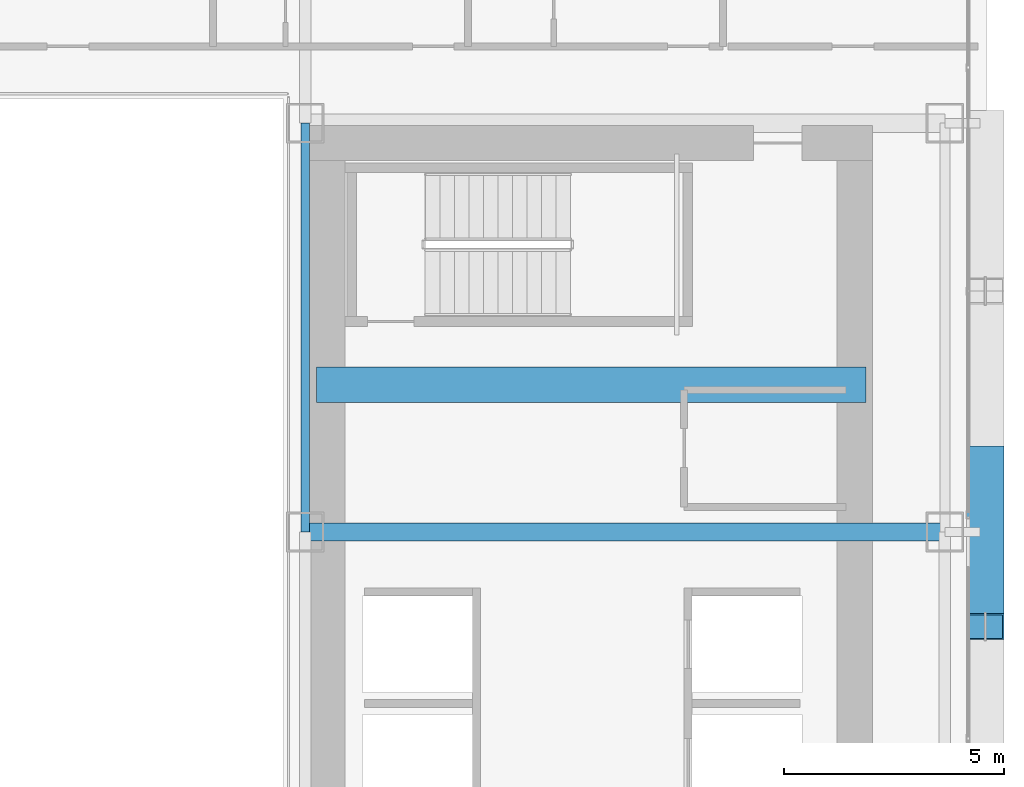
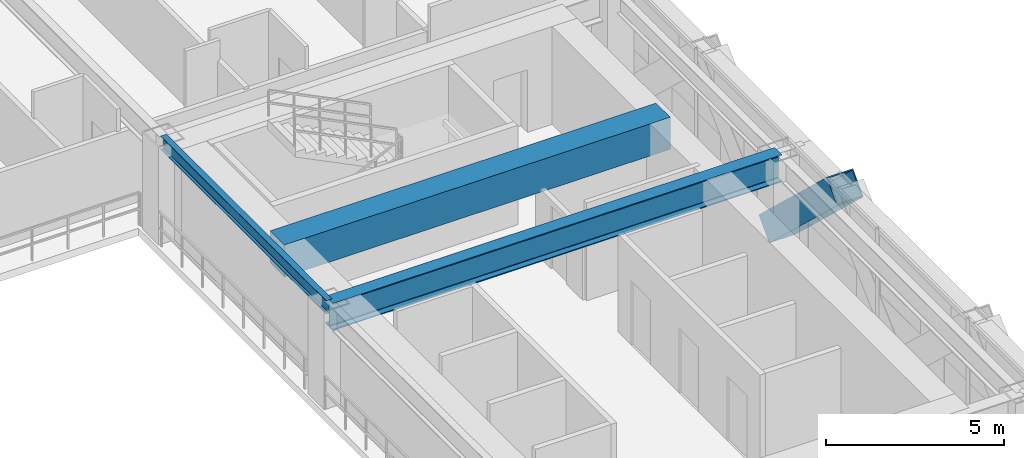
# One storey, part 14 of 35: 3 beams, 1 member.
"""IFC4 building model written with IfcOpenShell, lengths in metres."""

from ifc_helpers import new_model, si_unit, direction, frame, origin, origin_2d, place, context, subcontext, project, spatial, rectangle, hollow_rectangle, i_section, extrude, source, transform, mapped, material, material_profile, profile_set, type_object, element, save


model = new_model("IFC4")

# Units and contexts
model_context = context("Model", 3, precision=1e-05, world=origin(), true_north=direction((0.0, 1.0)))
body_context = subcontext(model_context, "Body", "Model", "MODEL_VIEW")
ifc_project = project(units=[si_unit("LENGTHUNIT", "METRE"), si_unit("AREAUNIT", "SQUARE_METRE"), si_unit("VOLUMEUNIT", "CUBIC_METRE"), si_unit("PLANEANGLEUNIT", "RADIAN"), si_unit("MASSUNIT", "GRAM", prefix="KILO")], contexts=[model_context])

# Site, building, storey
site_placement = place(None, origin())
site = spatial("IfcSite", under=ifc_project, at=site_placement, CompositionType="ELEMENT")
building_placement = place(site_placement, origin())
building = spatial("IfcBuilding", under=site, at=building_placement, Name="Ocotamira Hotel", CompositionType="ELEMENT")
storey_placement = place(building_placement, frame((0.0, 0.0, 49.199951171875)))
storey = spatial("IfcBuildingStorey", under=building, at=storey_placement, Name="L11", CompositionType="ELEMENT", Elevation=49.199951171875)

# Beams
ifc_material_1 = material(Name="Concrete C60/75", Category="concrete")
ifc_material_profile_1 = material_profile(ifc_material_1, rectangle(XDim=0.800048828125, YDim=1.10009765625, at=origin_2d()), Name="RC800X1100")
ifc_profile_set_1 = profile_set([ifc_material_profile_1], Name="Concrete C60/75")
beam_type_1 = type_object("IfcBeamType", Name="BM-LINK-RC800", PredefinedType="LINTEL", material=ifc_profile_set_1)
shared_shape_1 = source(origin(), body_context, "Body", "SweptSolid", [
    extrude(rectangle(XDim=0.800048828125, YDim=1.10009765625, at=origin_2d()), origin(), (0.0, 0.0, 1.0), 12.5),
])
beam_1_placement = place(storey_placement, frame((40.75, 31.5, 2.800048828125), z_axis=(1.0, 0.0, 0.0), x_axis=(0.0, 1.0, 0.0)))
element("IfcBeam", 1, at=beam_1_placement, inside=storey, type_object=beam_type_1, Name="L11 East Core Coupling Beam", PredefinedType="LINTEL", context=body_context, shape_type="MappedRepresentation", body=[
    mapped(shared_shape_1, transform((0.0, 0.0, 0.0), scale=1.0)),
])
ifc_material_2 = material(Name="Steel ASTM A992 Grade 50", Category="steel")
ifc_material_profile_2 = material_profile(ifc_material_2, i_section(OverallWidth=0.41796875, OverallDepth=0.927001953125, WebThickness=0.019287109375, FlangeThickness=0.031982421875, FilletRadius=0.02392578125, at=origin_2d()), Name="W36X231")
ifc_profile_set_2 = profile_set([ifc_material_profile_2], Name="Steel ASTM A992 Grade 50")
beam_type_2 = type_object("IfcBeamType", Name="BM-GIRD-W36X231", PredefinedType="BEAM", material=ifc_profile_set_2)
shared_shape_2 = source(origin(), body_context, "Body", "SweptSolid", [
    extrude(i_section(OverallWidth=0.41796875, OverallDepth=0.927001953125, WebThickness=0.019287109375, FlangeThickness=0.031982421875, FilletRadius=0.02392578125, at=origin_2d()), origin(), (0.0, 0.0, 1.0), 14.550048828125),
])
beam_2_placement = place(storey_placement, frame((40.5, 28.14990234375, 2.886474609375), z_axis=(1.0, 0.0, 0.0), x_axis=(0.0, 1.0, 0.0)))
element("IfcBeam", 2, at=beam_2_placement, inside=storey, type_object=beam_type_2, Name="L11 Girder Y28.15 X40.5-55.05", PredefinedType="BEAM", context=body_context, shape_type="MappedRepresentation", body=[
    mapped(shared_shape_2, transform((0.0, 0.0, 0.0), scale=1.0)),
])
ifc_material_profile_3 = material_profile(ifc_material_2, i_section(OverallWidth=0.18994140625, OverallDepth=0.45703125, WebThickness=0.009033203125, FlangeThickness=0.014404296875, FilletRadius=0.010009765625, at=origin_2d()), Name="W18X50")
ifc_profile_set_3 = profile_set([ifc_material_profile_3], Name="Steel ASTM A992 Grade 50")
beam_type_3 = type_object("IfcBeamType", Name="BM-SEC-W18X50", PredefinedType="JOIST", material=ifc_profile_set_3)
shared_shape_3 = source(origin(), body_context, "Body", "SweptSolid", [
    extrude(i_section(OverallWidth=0.18994140625, OverallDepth=0.45703125, WebThickness=0.009033203125, FlangeThickness=0.014404296875, FilletRadius=0.010009765625, at=origin_2d()), origin(), (0.0, 0.0, 1.0), 9.300048828125),
])
beam_3_placement = place(storey_placement, frame((40.5, 28.14990234375, 3.12158203125), z_axis=(0.0, 1.0, 0.0), x_axis=(-1.0, 0.0, 0.0)))
element("IfcBeam", 3, at=beam_3_placement, inside=storey, type_object=beam_type_3, Name="L11 Beam X40.5 Y28.15-37.45", PredefinedType="JOIST", context=body_context, shape_type="MappedRepresentation", body=[
    mapped(shared_shape_3, transform((0.0, 0.0, 0.0), scale=1.0)),
])

# Member
ifc_material_3 = material(Name="Pale-metal coated steel ASTM A913 Grade 65", Category="steel")
ifc_material_profile_4 = material_profile(ifc_material_3, hollow_rectangle(XDim=0.85009765625, YDim=0.85009765625, WallThickness=0.035888671875, at=origin_2d()), Name="BOX850X850X36")
ifc_profile_set_4 = profile_set([ifc_material_profile_4], Name="Pale-metal coated steel ASTM A913 Grade 65")
member_type = type_object("IfcMemberType", Name="MEM-EXO-BOX850", PredefinedType="BRACE", material=ifc_profile_set_4)
shared_shape_4 = source(origin(), body_context, "Body", "SweptSolid", [
    extrude(hollow_rectangle(XDim=0.85009765625, YDim=0.85009765625, WallThickness=0.035888671875, at=origin_2d()), origin(), (0.0, 0.0, 1.0), 5.24658203125),
])
member_placement = place(storey_placement, frame((55.969970703125, 29.816650390625, -0.5), z_axis=(0.0, -0.727442733726, 0.686168397078), x_axis=(1.0, 0.0, 0.0)))
element("IfcMember", 4, at=member_placement, inside=storey, type_object=member_type, Name="L11 Exoskeleton Diagrid E1.2", PredefinedType="BRACE", context=body_context, shape_type="MappedRepresentation", body=[
    mapped(shared_shape_4, transform((0.0, 0.0, 0.0), scale=1.0)),
])

save(model, "model.ifc")
